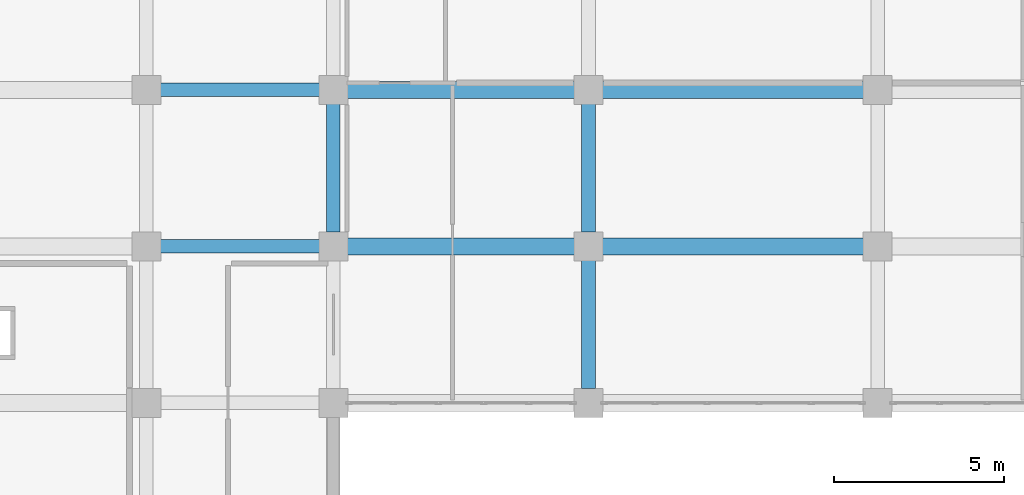
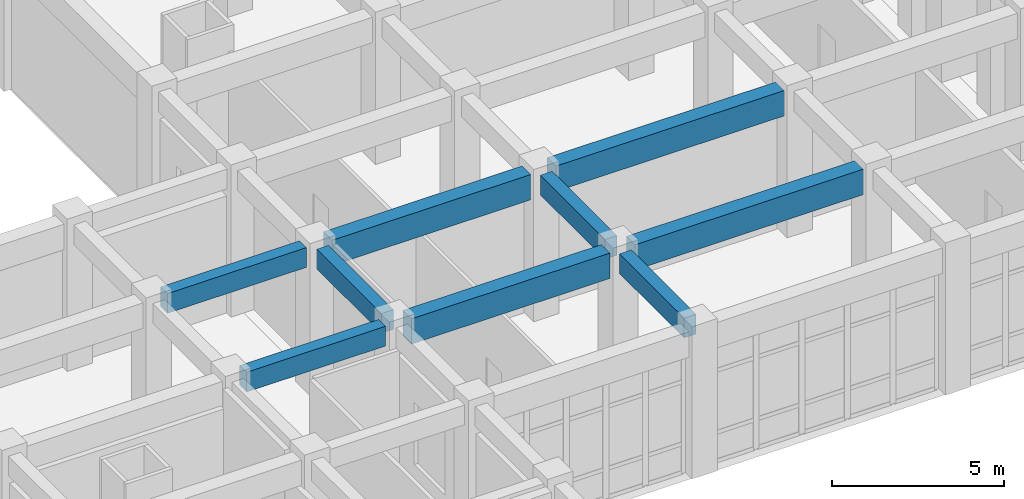
# One storey, part 20 of 84: 9 beams.
"""IFC4 building model written with IfcOpenShell, lengths in metres."""

from ifc_helpers import new_model, si_unit, direction, frame, origin, origin_2d, place, context, subcontext, project, spatial, rectangle, extrude, material, material_profile, profile_set, type_object, element, save


model = new_model("IFC4")

# Units and contexts
model_context = context("Model", 3, precision=1e-05, world=origin(), true_north=direction((0.0, 1.0)))
body_context = subcontext(model_context, "Body", "Model", "MODEL_VIEW")
ifc_project = project(units=[si_unit("LENGTHUNIT", "METRE"), si_unit("AREAUNIT", "SQUARE_METRE"), si_unit("VOLUMEUNIT", "CUBIC_METRE"), si_unit("PLANEANGLEUNIT", "RADIAN"), si_unit("MASSUNIT", "GRAM", prefix="KILO")], contexts=[model_context])

# Site, building, storey
site_placement = place(None, origin())
site = spatial("IfcSite", under=ifc_project, at=site_placement, CompositionType="ELEMENT")
building_placement = place(site_placement, origin())
building = spatial("IfcBuilding", under=site, at=building_placement, Name="Muzn Square Opera House", CompositionType="ELEMENT")
storey_placement = place(building_placement, origin())
storey = spatial("IfcBuildingStorey", under=building, at=storey_placement, Name="L00", CompositionType="ELEMENT", Elevation=0.0)

# Beams
ifc_material = material(Name="Concrete C40/50", Category="concrete")
ifc_material_profile_1 = material_profile(ifc_material, rectangle(XDim=0.39990234375, YDim=0.699951171875, at=origin_2d()), Name="RCB 400x700", Category="concrete")
ifc_profile_set_1 = profile_set([ifc_material_profile_1], Name="Concrete C40/50")
beam_type_1 = type_object("IfcBeamType", Name="Primary Girder 400x700", PredefinedType="BEAM", material=ifc_profile_set_1)
for number, where, z_axis, x_axis, name in (
    (1, (13.9169921875, 58.800048828125, 4.77001953125), (1.0, 0.0, 0.0), (0.0, 1.0, 0.0), "Primary Girder BM-L00-BM-PG700-139_588_186_588-852"),
    (2, (13.9169921875, 63.39990234375, 4.77001953125), (1.0, 0.0, 0.0), (0.0, 1.0, 0.0), "Primary Girder BM-L00-BM-PG700-139_634_186_634-864"),
):
    element("IfcBeam", number, at=place(storey_placement, frame(where, z_axis=z_axis, x_axis=x_axis)), inside=storey, type_object=beam_type_1, Name=name, PredefinedType="BEAM", context=body_context, shape_type="SweptSolid", body=[
        extrude(rectangle(XDim=0.39990234375, YDim=0.699951171875, at=origin_2d()), origin(), (0.0, 0.0, 1.0), 4.666015625),
    ])
beam_1_placement = place(storey_placement, frame((19.0, 59.217041015625, 4.77001953125), z_axis=(0.0, 1.0, 0.0), x_axis=(-1.0, 0.0, 0.0)))
element("IfcBeam", 3, at=beam_1_placement, inside=storey, type_object=beam_type_1, Name="Primary Girder BM-L00-BM-PG700-190_592_190_630-988", PredefinedType="BEAM", context=body_context, shape_type="SweptSolid", body=[
    extrude(rectangle(XDim=0.39990234375, YDim=0.699951171875, at=origin_2d()), origin(), (0.0, 0.0, 1.0), 3.765869140625),
])
beam_2_placement = place(storey_placement, frame((26.5, 54.616943359375, 4.77001953125), z_axis=(0.0, 1.0, 0.0), x_axis=(-1.0, 0.0, 0.0)))
element("IfcBeam", 4, at=beam_2_placement, inside=storey, type_object=beam_type_1, Name="Primary Girder BM-L00-BM-PG700-265_546_265_584-999", PredefinedType="BEAM", context=body_context, shape_type="SweptSolid", body=[
    extrude(rectangle(XDim=0.39990234375, YDim=0.699951171875, at=origin_2d()), origin(), (0.0, 0.0, 1.0), 3.76611328125),
])
beam_3_placement = place(storey_placement, frame((26.5, 59.217041015625, 4.77001953125), z_axis=(0.0, 1.0, 0.0), x_axis=(-1.0, 0.0, 0.0)))
element("IfcBeam", 5, at=beam_3_placement, inside=storey, type_object=beam_type_1, Name="Primary Girder BM-L00-BM-PG700-265_592_265_630-1000", PredefinedType="BEAM", context=body_context, shape_type="SweptSolid", body=[
    extrude(rectangle(XDim=0.39990234375, YDim=0.699951171875, at=origin_2d()), origin(), (0.0, 0.0, 1.0), 3.765869140625),
])
ifc_material_profile_2 = material_profile(ifc_material, rectangle(XDim=0.5, YDim=0.89990234375, at=origin_2d()), Name="RCB 500x900", Category="concrete")
ifc_profile_set_2 = profile_set([ifc_material_profile_2], Name="Concrete C40/50")
beam_type_2 = type_object("IfcBeamType", Name="Primary Girder 500x900", PredefinedType="BEAM", material=ifc_profile_set_2)
beam_4_placement = place(storey_placement, frame((19.4169921875, 58.800048828125, 4.669921875), z_axis=(1.0, 0.0, 0.0), x_axis=(0.0, 1.0, 0.0)))
element("IfcBeam", 6, at=beam_4_placement, inside=storey, type_object=beam_type_2, Name="Primary Girder BM-L00-BM-PG900-194_588_261_588-853", PredefinedType="BEAM", context=body_context, shape_type="SweptSolid", body=[
    extrude(rectangle(XDim=0.5, YDim=0.89990234375, at=origin_2d()), origin(), (0.0, 0.0, 1.0), 6.666015625),
])
beam_5_placement = place(storey_placement, frame((26.9169921875, 58.800048828125, 4.669921875), z_axis=(1.0, 0.0, 0.0), x_axis=(0.0, 1.0, 0.0)))
element("IfcBeam", 7, at=beam_5_placement, inside=storey, type_object=beam_type_2, Name="Primary Girder BM-L00-BM-PG900-269_588_346_588-854", PredefinedType="BEAM", context=body_context, shape_type="SweptSolid", body=[
    extrude(rectangle(XDim=0.5, YDim=0.89990234375, at=origin_2d()), origin(), (0.0, 0.0, 1.0), 7.666015625),
])
beam_6_placement = place(storey_placement, frame((19.4169921875, 63.39990234375, 4.669921875), z_axis=(1.0, 0.0, 0.0), x_axis=(0.0, 1.0, 0.0)))
element("IfcBeam", 8, at=beam_6_placement, inside=storey, type_object=beam_type_2, Name="Primary Girder BM-L00-BM-PG900-194_634_261_634-865", PredefinedType="BEAM", context=body_context, shape_type="SweptSolid", body=[
    extrude(rectangle(XDim=0.5, YDim=0.89990234375, at=origin_2d()), origin(), (0.0, 0.0, 1.0), 6.666015625),
])
beam_7_placement = place(storey_placement, frame((26.9169921875, 63.39990234375, 4.669921875), z_axis=(1.0, 0.0, 0.0), x_axis=(0.0, 1.0, 0.0)))
element("IfcBeam", 9, at=beam_7_placement, inside=storey, type_object=beam_type_2, Name="Primary Girder BM-L00-BM-PG900-269_634_346_634-866", PredefinedType="BEAM", context=body_context, shape_type="SweptSolid", body=[
    extrude(rectangle(XDim=0.5, YDim=0.89990234375, at=origin_2d()), origin(), (0.0, 0.0, 1.0), 7.666015625),
])

save(model, "model.ifc")
